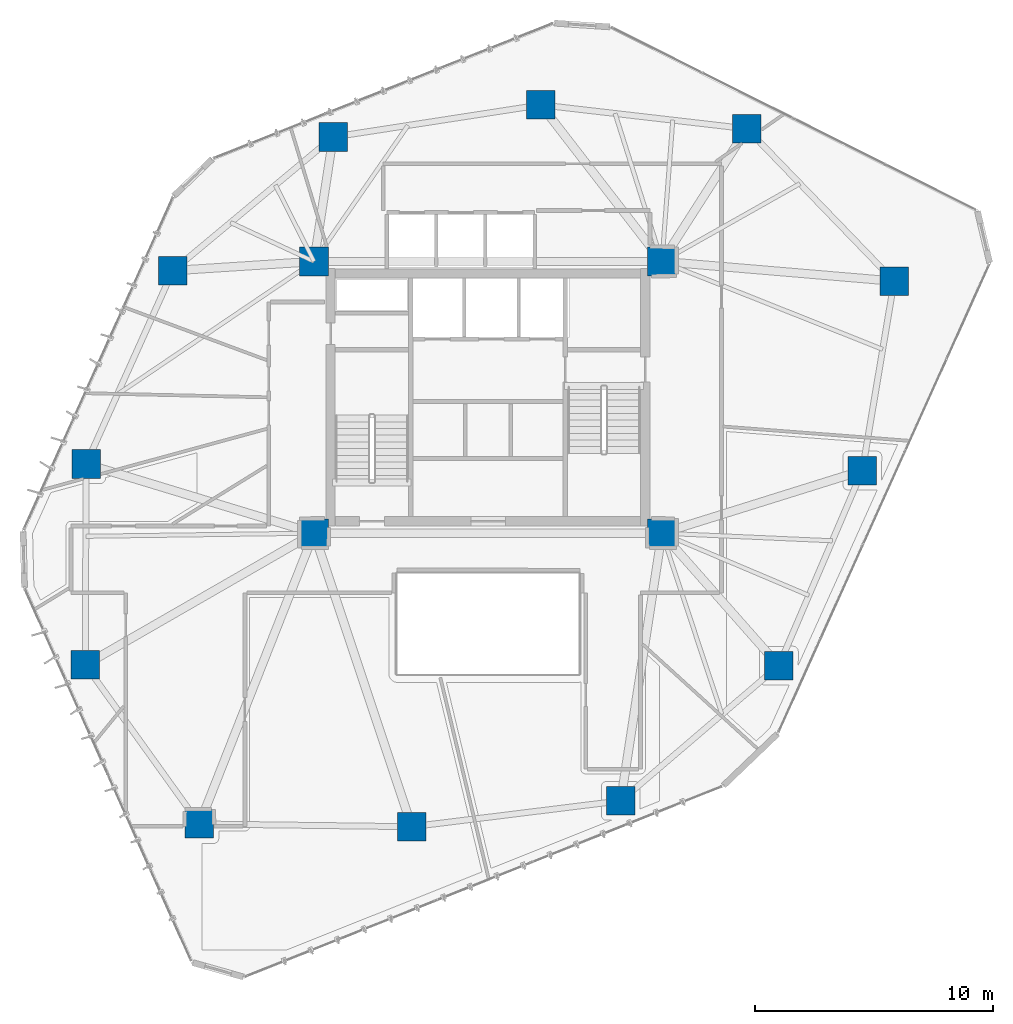
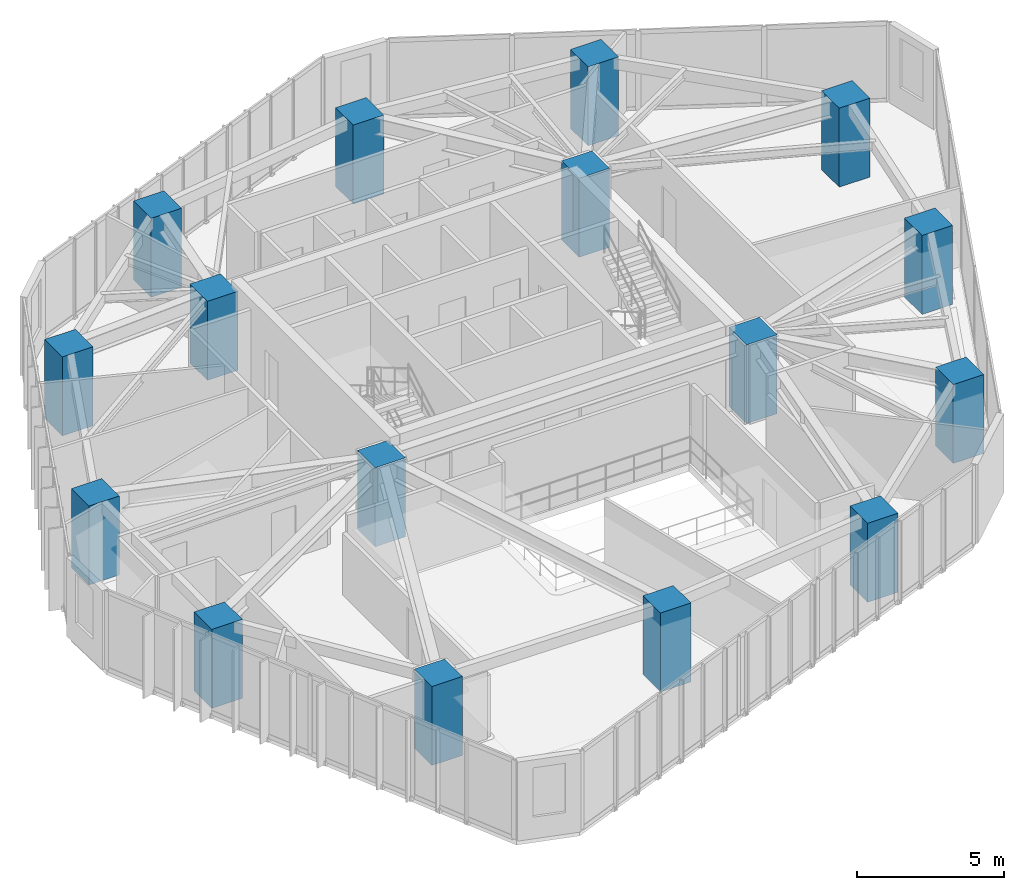
# One storey, part 1 of 22: 16 columns.
"""IFC4 building model written with IfcOpenShell, lengths in metres."""

from ifc_helpers import new_model, si_unit, direction, frame, origin, origin_2d, place, context, subcontext, project, spatial, rectangle, extrude, material, material_profile, profile_set, type_object, element, save


model = new_model("IFC4")

# Units and contexts
model_context = context("Model", 3, precision=1e-05, world=origin(), true_north=direction((0.0, 1.0)))
body_context = subcontext(model_context, "Body", "Model", "MODEL_VIEW")
ifc_project = project(units=[si_unit("LENGTHUNIT", "METRE"), si_unit("AREAUNIT", "SQUARE_METRE"), si_unit("VOLUMEUNIT", "CUBIC_METRE"), si_unit("PLANEANGLEUNIT", "RADIAN"), si_unit("MASSUNIT", "GRAM", prefix="KILO")], contexts=[model_context])

# Site, building, storey
site_placement = place(None, origin())
site = spatial("IfcSite", under=ifc_project, at=site_placement, CompositionType="ELEMENT")
building_placement = place(site_placement, origin())
building = spatial("IfcBuilding", under=site, at=building_placement, Name="Talar Marvaseh", CompositionType="ELEMENT")
storey_placement = place(building_placement, frame((0.0, 0.0, 154.199951171875)))
storey = spatial("IfcBuildingStorey", under=building, at=storey_placement, Name="L40", CompositionType="ELEMENT", Elevation=154.199951171875)

# Columns
ifc_material = material(Name="Concrete C60/75", Category="concrete")
ifc_material_profile = material_profile(ifc_material, rectangle(XDim=1.199951171875, YDim=1.199951171875, at=origin_2d()), Name="RC1200x1200")
ifc_profile_set = profile_set([ifc_material_profile], Name="Concrete C60/75")
column_type = type_object("IfcColumnType", Name="Zone 2 Tube Column RC1200x1200", PredefinedType="COLUMN", material=ifc_profile_set)
for number, where, z_axis, x_axis, name in (
    (1, (36.865966796875, 42.470947265625, 0.0), (0.0, 0.0, 1.0), (1.0, 0.0, 0.0), "L40 Zone 2 Tube Column RC1200x1200"),
    (2, (43.0439453125, 36.075927734375, 0.0), (0.0, 0.0, 1.0), (1.0, 0.0, 0.0), "L40 Zone 2 Tube Column RC1200x1200"),
    (3, (41.708984375, 28.1279296875, 0.0), (0.0, 0.0, 1.0), (1.0, 0.0, 0.0), "L40 Zone 2 Tube Column RC1200x1200"),
    (4, (38.2060546875, 19.94091796875, 0.0), (0.0, 0.0, 1.0), (1.0, 0.0, 0.0), "L40 Zone 2 Tube Column RC1200x1200"),
    (5, (31.570068359375, 14.26806640625, 0.0), (0.0, 0.0, 1.0), (1.0, 0.0, 0.0), "L40 Zone 2 Tube Column RC1200x1200"),
    (6, (22.804931640625, 13.18310546875, 0.0), (0.0, 0.0, 1.0), (1.0, 0.0, 0.0), "L40 Zone 2 Tube Column RC1200x1200"),
    (7, (13.89111328125, 13.299072265625, 0.0), (0.0, 0.0, 1.0), (1.0, 0.0, 0.0), "L40 Zone 2 Tube Column RC1200x1200"),
    (8, (9.10107421875, 19.97705078125, 0.0), (0.0, 0.0, 1.0), (1.0, 0.0, 0.0), "L40 Zone 2 Tube Column RC1200x1200"),
    (9, (9.137939453125, 28.402099609375, 0.0), (0.0, 0.0, 1.0), (1.0, 0.0, 0.0), "L40 Zone 2 Tube Column RC1200x1200"),
    (10, (12.780029296875, 36.51708984375, 0.0), (0.0, 0.0, 1.0), (1.0, 0.0, 0.0), "L40 Zone 2 Tube Column RC1200x1200"),
    (11, (19.5009765625, 42.123046875, 0.0), (0.0, 0.0, 1.0), (1.0, 0.0, 0.0), "L40 Zone 2 Tube Column RC1200x1200"),
    (12, (28.221923828125, 43.471923828125, 0.0), (0.0, 0.0, 1.0), (1.0, 0.0, 0.0), "L40 Zone 2 Tube Column RC1200x1200"),
    (13, (18.699951171875, 25.5, 0.0), (0.0, 0.0, 1.0), (1.0, 0.0, 0.0), "L40 Zone 2 Tube Column RC1200x1200"),
    (14, (33.300048828125, 25.5, 0.0), (0.0, 0.0, 1.0), (1.0, 0.0, 0.0), "L40 Zone 2 Tube Column RC1200x1200"),
    (15, (33.300048828125, 36.89990234375, 0.0), (0.0, 0.0, 1.0), (1.0, 0.0, 0.0), "L40 Zone 2 Tube Column RC1200x1200"),
    (16, (18.699951171875, 36.89990234375, 0.0), (0.0, 0.0, 1.0), (1.0, 0.0, 0.0), "L40 Zone 2 Tube Column RC1200x1200"),
):
    element("IfcColumn", number, at=place(storey_placement, frame(where, z_axis=z_axis, x_axis=x_axis)), inside=storey, type_object=column_type, Name=name, PredefinedType="COLUMN", context=body_context, shape_type="SweptSolid", body=[
        extrude(rectangle(XDim=1.199951171875, YDim=1.199951171875, at=origin_2d()), origin(), (0.0, 0.0, 1.0), 3.280029296875),
    ])

save(model, "model.ifc")
